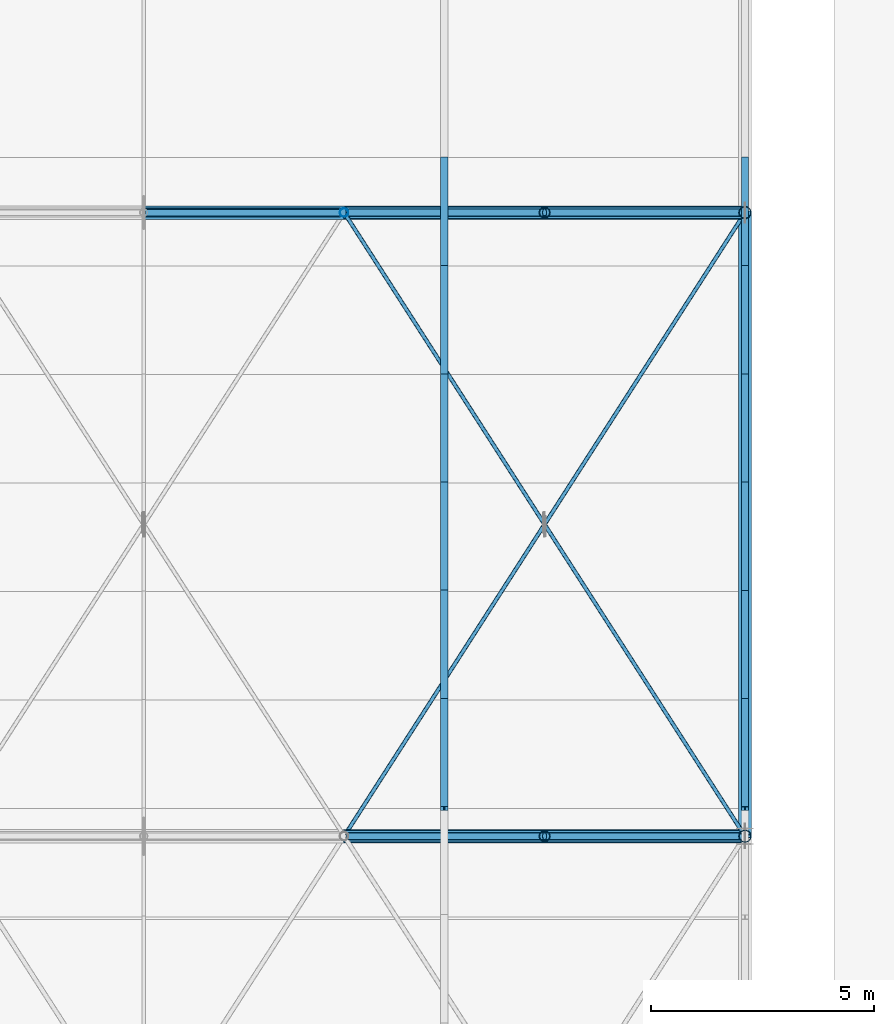
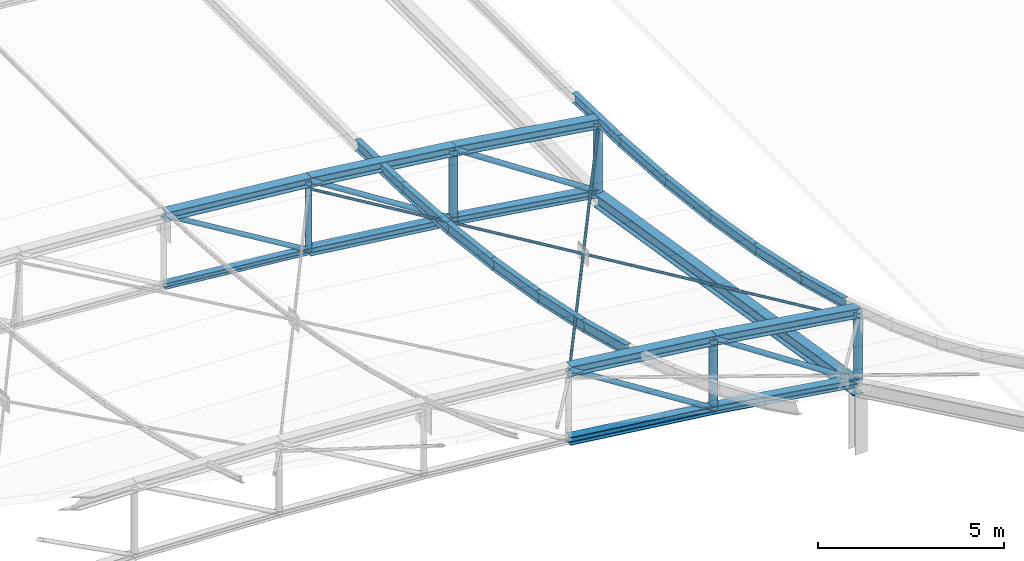
# One storey, part 157 of 262: 35 members, 1 beam.
"""IFC4 building model written with IfcOpenShell, lengths in metres."""

from ifc_helpers import new_model, si_unit, derived_unit, direction, frame, origin, origin_2d, place, context, subcontext, project, spatial, hollow_circle, i_section, extrude, material, material_profile, profile_set, type_object, element, save


model = new_model("IFC4")

# Units and contexts
model_context = context("Model", 3, precision=1e-05, world=origin(), true_north=direction((0.0, 1.0)))
body_context = subcontext(model_context, "Body", "Model", "MODEL_VIEW")
ifc_project = project(units=[si_unit("LENGTHUNIT", "METRE"), si_unit("AREAUNIT", "SQUARE_METRE"), si_unit("VOLUMEUNIT", "CUBIC_METRE"), si_unit("PLANEANGLEUNIT", "RADIAN"), si_unit("MASSUNIT", "GRAM", prefix="KILO"), derived_unit("THERMALTRANSMITTANCEUNIT", [(si_unit("POWERUNIT", "WATT"), 1), (si_unit("LENGTHUNIT", "METRE"), -2), (si_unit("THERMODYNAMICTEMPERATUREUNIT", "KELVIN"), -1)])], contexts=[model_context])

# Site, building, storey
site_placement = place(None, origin())
site = spatial("IfcSite", under=ifc_project, at=site_placement, CompositionType="ELEMENT")
building_placement = place(site_placement, origin())
building = spatial("IfcBuilding", under=site, at=building_placement, Name="Almenara Railside Exhibition Hall", CompositionType="ELEMENT")
storey_placement = place(building_placement, frame((0.0, 0.0, 21.699951171875)))
storey = spatial("IfcBuildingStorey", under=building, at=storey_placement, Name="RF", CompositionType="ELEMENT", Elevation=21.699951171875)

# Members
ifc_material = material(Name="Structural steel S355JR", Category="steel")
ifc_material_profile_1 = material_profile(ifc_material, i_section(OverallWidth=0.300048828125, OverallDepth=0.300048828125, WebThickness=0.010986328125, FlangeThickness=0.01904296875, FilletRadius=0.027099609375, at=origin_2d()), Name="HEB 300")
ifc_profile_set_1 = profile_set([ifc_material_profile_1], Name="Structural steel S355JR")
member_type_1 = type_object("IfcMemberType", Name="Arched Inner Top Chord HEB 300 S355JR", PredefinedType="CHORD", material=ifc_profile_set_1)
member_1_placement = place(storey_placement, frame((178.5, 62.0, -5.63525390625), z_axis=(0.995512933083, 0.0, -0.094625578275), x_axis=(0.0, 1.0, 0.0)))
element("IfcMember", 1, at=member_1_placement, inside=storey, type_object=member_type_1, Name="MEM-TC-V2-02-09", PredefinedType="CHORD", context=body_context, shape_type="SweptSolid", body=[
    extrude(i_section(OverallWidth=0.300048828125, OverallDepth=0.300048828125, WebThickness=0.010986328125, FlangeThickness=0.01904296875, FilletRadius=0.027099609375, at=origin_2d()), origin(), (0.0, 0.0, 1.0), 4.520263671875),
])
ifc_material_profile_2 = material_profile(ifc_material, i_section(OverallWidth=0.260009765625, OverallDepth=0.260009765625, WebThickness=0.010009765625, FlangeThickness=0.017578125, FilletRadius=0.02392578125, at=origin_2d()), Name="HEB 260")
ifc_profile_set_2 = profile_set([ifc_material_profile_2], Name="Structural steel S355JR")
member_type_2 = type_object("IfcMemberType", Name="Arched Truss Bottom Chord HEB 260 S355JR", PredefinedType="CHORD", material=ifc_profile_set_2)
member_2_placement = place(storey_placement, frame((183.0, 48.0, -6.09423828125), z_axis=(0.992612220818, 0.0, -0.121330041965), x_axis=(0.0, 1.0, 0.0)))
element("IfcMember", 2, at=member_2_placement, inside=storey, type_object=member_type_2, Name="MEM-BC-V2-01-10", PredefinedType="CHORD", context=body_context, shape_type="SweptSolid", body=[
    extrude(i_section(OverallWidth=0.260009765625, OverallDepth=0.260009765625, WebThickness=0.010009765625, FlangeThickness=0.017578125, FilletRadius=0.02392578125, at=origin_2d()), origin(), (0.0, 0.0, 1.0), 4.533447265625),
])
member_3_placement = place(storey_placement, frame((187.5, 48.0, -6.644287109375), z_axis=(0.9890290442, 0.0, -0.147721189165), x_axis=(0.0, 1.0, 0.0)))
element("IfcMember", 3, at=member_3_placement, inside=storey, type_object=member_type_2, Name="MEM-BC-V2-01-11", PredefinedType="CHORD", context=body_context, shape_type="SweptSolid", body=[
    extrude(i_section(OverallWidth=0.260009765625, OverallDepth=0.260009765625, WebThickness=0.010009765625, FlangeThickness=0.017578125, FilletRadius=0.02392578125, at=origin_2d()), origin(), (0.0, 0.0, 1.0), 4.5498046875),
])
member_4_placement = place(storey_placement, frame((183.0, 62.0, -8.363037109375), z_axis=(0.992618705116, 0.0, -0.12127698155), x_axis=(0.0, 1.0, 0.0)))
element("IfcMember", 4, at=member_4_placement, inside=storey, type_object=member_type_2, Name="MEM-BC-V2-02-10", PredefinedType="CHORD", context=body_context, shape_type="SweptSolid", body=[
    extrude(i_section(OverallWidth=0.260009765625, OverallDepth=0.260009765625, WebThickness=0.010009765625, FlangeThickness=0.017578125, FilletRadius=0.02392578125, at=origin_2d()), origin(), (0.0, 0.0, 1.0), 4.533447265625),
])
member_5_placement = place(storey_placement, frame((187.5, 62.0, -8.912841796875), z_axis=(0.989021203369, 0.0, -0.147773675894), x_axis=(0.0, 1.0, 0.0)))
element("IfcMember", 5, at=member_5_placement, inside=storey, type_object=member_type_2, Name="MEM-BC-V2-02-11", PredefinedType="CHORD", context=body_context, shape_type="SweptSolid", body=[
    extrude(i_section(OverallWidth=0.260009765625, OverallDepth=0.260009765625, WebThickness=0.010009765625, FlangeThickness=0.017578125, FilletRadius=0.02392578125, at=origin_2d()), origin(), (0.0, 0.0, 1.0), 4.550048828125),
])
ifc_material_profile_3 = material_profile(ifc_material, i_section(OverallWidth=0.300048828125, OverallDepth=0.320068359375, WebThickness=0.011474609375, FlangeThickness=0.0205078125, FilletRadius=0.027099609375, at=origin_2d()), Name="HEB 320")
ifc_profile_set_3 = profile_set([ifc_material_profile_3], Name="Structural steel S355JR")
member_type_3 = type_object("IfcMemberType", Name="Arched Truss Top Chord HEB 320 S355JR", PredefinedType="CHORD", material=ifc_profile_set_3)
member_6_placement = place(storey_placement, frame((183.0, 48.0, -3.794189453125), z_axis=(0.992612220818, 0.0, -0.121330041965), x_axis=(0.0, 1.0, 0.0)))
element("IfcMember", 6, at=member_6_placement, inside=storey, type_object=member_type_3, Name="MEM-TC-V2-01-10", PredefinedType="CHORD", context=body_context, shape_type="SweptSolid", body=[
    extrude(i_section(OverallWidth=0.300048828125, OverallDepth=0.320068359375, WebThickness=0.011474609375, FlangeThickness=0.0205078125, FilletRadius=0.027099609375, at=origin_2d()), origin(), (0.0, 0.0, 1.0), 4.533447265625),
])
member_7_placement = place(storey_placement, frame((187.5, 48.0, -4.34423828125), z_axis=(0.9890290442, 0.0, -0.147721189165), x_axis=(0.0, 1.0, 0.0)))
element("IfcMember", 7, at=member_7_placement, inside=storey, type_object=member_type_3, Name="MEM-TC-V2-01-11", PredefinedType="CHORD", context=body_context, shape_type="SweptSolid", body=[
    extrude(i_section(OverallWidth=0.300048828125, OverallDepth=0.320068359375, WebThickness=0.011474609375, FlangeThickness=0.0205078125, FilletRadius=0.027099609375, at=origin_2d()), origin(), (0.0, 0.0, 1.0), 4.5498046875),
])
member_8_placement = place(storey_placement, frame((183.0, 62.0, -6.06298828125), z_axis=(0.992612220818, 0.0, -0.121330041965), x_axis=(0.0, 1.0, 0.0)))
element("IfcMember", 8, at=member_8_placement, inside=storey, type_object=member_type_3, Name="MEM-TC-V2-02-10", PredefinedType="CHORD", context=body_context, shape_type="SweptSolid", body=[
    extrude(i_section(OverallWidth=0.300048828125, OverallDepth=0.320068359375, WebThickness=0.011474609375, FlangeThickness=0.0205078125, FilletRadius=0.027099609375, at=origin_2d()), origin(), (0.0, 0.0, 1.0), 4.533447265625),
])
member_9_placement = place(storey_placement, frame((187.5, 62.0, -6.613037109375), z_axis=(0.9890290442, 0.0, -0.147721189165), x_axis=(0.0, 1.0, 0.0)))
element("IfcMember", 9, at=member_9_placement, inside=storey, type_object=member_type_3, Name="MEM-TC-V2-02-11", PredefinedType="CHORD", context=body_context, shape_type="SweptSolid", body=[
    extrude(i_section(OverallWidth=0.300048828125, OverallDepth=0.320068359375, WebThickness=0.011474609375, FlangeThickness=0.0205078125, FilletRadius=0.027099609375, at=origin_2d()), origin(), (0.0, 0.0, 1.0), 4.5498046875),
])
ifc_material_profile_4 = material_profile(ifc_material, i_section(OverallWidth=0.199951171875, OverallDepth=0.199951171875, WebThickness=0.009033203125, FlangeThickness=0.014892578125, FilletRadius=0.01806640625, at=origin_2d()), Name="HEB 200")
ifc_profile_set_4 = profile_set([ifc_material_profile_4], Name="Structural steel S355JR")
member_type_4 = type_object("IfcMemberType", Name="Canopy Collar Chord HEB 200 S355JR", PredefinedType="CHORD", material=ifc_profile_set_4)
member_10_placement = place(storey_placement, frame((178.5, 62.0, -7.93505859375), z_axis=(0.995507843872, 0.0, -0.094679104292), x_axis=(0.0, 1.0, 0.0)))
element("IfcMember", 10, at=member_10_placement, inside=storey, type_object=member_type_4, Name="MEM-BC-V2-02-09", PredefinedType="CHORD", context=body_context, shape_type="SweptSolid", body=[
    extrude(i_section(OverallWidth=0.199951171875, OverallDepth=0.199951171875, WebThickness=0.009033203125, FlangeThickness=0.014892578125, FilletRadius=0.01806640625, at=origin_2d()), origin(), (0.0, 0.0, 1.0), 4.520263671875),
])
ifc_material_profile_5 = material_profile(ifc_material, hollow_circle(Radius=0.04443359375, WallThickness=0.00390625, at=origin_2d()), Name="CHS 88.9x4")
ifc_profile_set_5 = profile_set([ifc_material_profile_5], Name="Structural steel S355JR")
member_type_5 = type_object("IfcMemberType", Name="Canopy Tie Brace CHS 88.9x4 S355JR", PredefinedType="BRACE", material=ifc_profile_set_5)
member_11_placement = place(storey_placement, frame((183.0, 48.0, -4.07421875), z_axis=(0.529240705516, 0.823263319692, -0.205284636724), x_axis=(-0.841178475377, 0.540757591313, 0.0)))
element("IfcMember", 11, at=member_11_placement, inside=storey, type_object=member_type_5, Name="MEM-WB-V2-WB-CHS89-01-10-C", PredefinedType="BRACE", context=body_context, shape_type="SweptSolid", body=[
    extrude(hollow_circle(Radius=0.04443359375, WallThickness=0.00390625, at=origin_2d()), origin(), (0.0, 0.0, 1.0), 17.005615234375),
])
for number, where, z_axis, x_axis, name in (
    (12, (192.0, 48.0, -5.29638671875), (-0.539698970492, 0.839515369924, -0.062761173594), (-0.841173681351, -0.540765048614, 0.0), "MEM-WB-V2-WB-CHS89-01-10-S1"),
    (13, (187.473876953125, 55.040771484375, -5.82275390625), (-0.539698970492, 0.839515369924, -0.062761173594), (-0.841173681351, -0.540765048614, 0.0), "MEM-WB-V2-WB-CHS89-01-10-S2"),
):
    element("IfcMember", number, at=place(storey_placement, frame(where, z_axis=z_axis, x_axis=x_axis)), inside=storey, type_object=member_type_5, Name=name, PredefinedType="BRACE", context=body_context, shape_type="SweptSolid", body=[
        extrude(hollow_circle(Radius=0.04443359375, WallThickness=0.00390625, at=origin_2d()), origin(), (0.0, 0.0, 1.0), 8.28955078125),
    ])
ifc_material_profile_6 = material_profile(ifc_material, i_section(OverallWidth=0.159912109375, OverallDepth=0.330078125, WebThickness=0.007568359375, FlangeThickness=0.011474609375, FilletRadius=0.01806640625, at=origin_2d()), Name="IPE 330")
ifc_profile_set_6 = profile_set([ifc_material_profile_6], Name="Structural steel S355JR")
member_type_6 = type_object("IfcMemberType", Name="Gable Bay Purlin IPE 330 S355JR", PredefinedType="PURLIN", material=ifc_profile_set_6)
member_12_placement = place(storey_placement, frame((192.0, 48.6201171875, -5.149658203125), z_axis=(0.0, 0.966201190487, -0.257789176462), x_axis=(-1.0, 0.0, 0.0)))
element("IfcMember", 14, at=member_12_placement, inside=storey, type_object=member_type_6, Name="MEM-PR-V2-PR-IPE330-08-06", PredefinedType="PURLIN", context=body_context, shape_type="SweptSolid", body=[
    extrude(i_section(OverallWidth=0.159912109375, OverallDepth=0.330078125, WebThickness=0.007568359375, FlangeThickness=0.011474609375, FilletRadius=0.01806640625, at=origin_2d()), origin(), (0.0, 0.0, 1.0), 2.52197265625),
])
member_13_placement = place(storey_placement, frame((192.0, 51.056884765625, -5.795654296875), z_axis=(0.0, 0.977516294467, -0.210859891994), x_axis=(-1.0, 0.0, 0.0)))
element("IfcMember", 15, at=member_13_placement, inside=storey, type_object=member_type_6, Name="MEM-PR-V2-PR-IPE330-08-07", PredefinedType="PURLIN", context=body_context, shape_type="SweptSolid", body=[
    extrude(i_section(OverallWidth=0.159912109375, OverallDepth=0.330078125, WebThickness=0.007568359375, FlangeThickness=0.011474609375, FilletRadius=0.01806640625, at=origin_2d()), origin(), (0.0, 0.0, 1.0), 2.492919921875),
])
member_14_placement = place(storey_placement, frame((192.0, 53.49365234375, -6.318115234375), z_axis=(0.0, 0.986465951297, -0.163966237171), x_axis=(-1.0, 0.0, 0.0)))
element("IfcMember", 16, at=member_14_placement, inside=storey, type_object=member_type_6, Name="MEM-PR-V2-PR-IPE330-08-08", PredefinedType="PURLIN", context=body_context, shape_type="SweptSolid", body=[
    extrude(i_section(OverallWidth=0.159912109375, OverallDepth=0.330078125, WebThickness=0.007568359375, FlangeThickness=0.011474609375, FilletRadius=0.01806640625, at=origin_2d()), origin(), (0.0, 0.0, 1.0), 2.47021484375),
])
member_15_placement = place(storey_placement, frame((192.0, 55.930419921875, -6.720703125), z_axis=(0.0, 0.993105700961, -0.117222296166), x_axis=(-1.0, 0.0, 0.0)))
element("IfcMember", 17, at=member_15_placement, inside=storey, type_object=member_type_6, Name="MEM-PR-V2-PR-IPE330-08-09", PredefinedType="PURLIN", context=body_context, shape_type="SweptSolid", body=[
    extrude(i_section(OverallWidth=0.159912109375, OverallDepth=0.330078125, WebThickness=0.007568359375, FlangeThickness=0.011474609375, FilletRadius=0.01806640625, at=origin_2d()), origin(), (0.0, 0.0, 1.0), 2.453369140625),
])
member_16_placement = place(storey_placement, frame((192.0, 58.366943359375, -7.006591796875), z_axis=(0.0, 0.997521719737, -0.070359211571), x_axis=(-1.0, 0.0, 0.0)))
element("IfcMember", 18, at=member_16_placement, inside=storey, type_object=member_type_6, Name="MEM-PR-V2-PR-IPE330-08-10", PredefinedType="PURLIN", context=body_context, shape_type="SweptSolid", body=[
    extrude(i_section(OverallWidth=0.159912109375, OverallDepth=0.330078125, WebThickness=0.007568359375, FlangeThickness=0.011474609375, FilletRadius=0.01806640625, at=origin_2d()), origin(), (0.0, 0.0, 1.0), 2.44287109375),
])
member_17_placement = place(storey_placement, frame((192.0, 60.8037109375, -7.177734375), z_axis=(0.0, 0.999725289903, -0.023438104182), x_axis=(-1.0, 0.0, 0.0)))
element("IfcMember", 19, at=member_17_placement, inside=storey, type_object=member_type_6, Name="MEM-PR-V2-PR-IPE330-08-11", PredefinedType="PURLIN", context=body_context, shape_type="SweptSolid", body=[
    extrude(i_section(OverallWidth=0.159912109375, OverallDepth=0.330078125, WebThickness=0.007568359375, FlangeThickness=0.011474609375, FilletRadius=0.01806640625, at=origin_2d()), origin(), (0.0, 0.0, 1.0), 2.4375),
])
ifc_material_profile_7 = material_profile(ifc_material, i_section(OverallWidth=0.169921875, OverallDepth=0.360107421875, WebThickness=0.008056640625, FlangeThickness=0.0126953125, FilletRadius=0.01806640625, at=origin_2d()), Name="IPE 360")
ifc_profile_set_7 = profile_set([ifc_material_profile_7], Name="Structural steel S355JR")
member_type_7 = type_object("IfcMemberType", Name="Long-Span Scroll Purlin IPE 360 S355JR", PredefinedType="PURLIN", material=ifc_profile_set_7)
member_18_placement = place(storey_placement, frame((185.25, 48.6201171875, -4.337158203125), z_axis=(0.0, 0.966201190487, -0.257789176462), x_axis=(-1.0, 0.0, 0.0)))
element("IfcMember", 20, at=member_18_placement, inside=storey, type_object=member_type_7, Name="MEM-PR-V2-PR-IPE360-07-06", PredefinedType="PURLIN", context=body_context, shape_type="SweptSolid", body=[
    extrude(i_section(OverallWidth=0.169921875, OverallDepth=0.360107421875, WebThickness=0.008056640625, FlangeThickness=0.0126953125, FilletRadius=0.01806640625, at=origin_2d()), origin(), (0.0, 0.0, 1.0), 2.52197265625),
])
member_19_placement = place(storey_placement, frame((185.25, 51.056884765625, -4.98291015625), z_axis=(0.0, 0.977496103583, -0.210953472309), x_axis=(-1.0, 0.0, 0.0)))
element("IfcMember", 21, at=member_19_placement, inside=storey, type_object=member_type_7, Name="MEM-PR-V2-PR-IPE360-07-07", PredefinedType="PURLIN", context=body_context, shape_type="SweptSolid", body=[
    extrude(i_section(OverallWidth=0.169921875, OverallDepth=0.360107421875, WebThickness=0.008056640625, FlangeThickness=0.0126953125, FilletRadius=0.01806640625, at=origin_2d()), origin(), (0.0, 0.0, 1.0), 2.492919921875),
])
member_20_placement = place(storey_placement, frame((185.25, 53.49365234375, -5.505126953125), z_axis=(0.0, 0.986449960692, -0.164062412058), x_axis=(-1.0, 0.0, 0.0)))
element("IfcMember", 22, at=member_20_placement, inside=storey, type_object=member_type_7, Name="MEM-PR-V2-PR-IPE360-07-08", PredefinedType="PURLIN", context=body_context, shape_type="SweptSolid", body=[
    extrude(i_section(OverallWidth=0.169921875, OverallDepth=0.360107421875, WebThickness=0.008056640625, FlangeThickness=0.0126953125, FilletRadius=0.01806640625, at=origin_2d()), origin(), (0.0, 0.0, 1.0), 2.47021484375),
])
member_21_placement = place(storey_placement, frame((185.25, 55.930419921875, -5.907958984375), z_axis=(0.0, 0.993117280569, -0.117124152227), x_axis=(-1.0, 0.0, 0.0)))
element("IfcMember", 23, at=member_21_placement, inside=storey, type_object=member_type_7, Name="MEM-PR-V2-PR-IPE360-07-09", PredefinedType="PURLIN", context=body_context, shape_type="SweptSolid", body=[
    extrude(i_section(OverallWidth=0.169921875, OverallDepth=0.360107421875, WebThickness=0.008056640625, FlangeThickness=0.0126953125, FilletRadius=0.01806640625, at=origin_2d()), origin(), (0.0, 0.0, 1.0), 2.453369140625),
])
member_22_placement = place(storey_placement, frame((185.25, 58.366943359375, -6.19384765625), z_axis=(0.0, 0.997528729247, -0.070259763216), x_axis=(-1.0, 0.0, 0.0)))
element("IfcMember", 24, at=member_22_placement, inside=storey, type_object=member_type_7, Name="MEM-PR-V2-PR-IPE360-07-10", PredefinedType="PURLIN", context=body_context, shape_type="SweptSolid", body=[
    extrude(i_section(OverallWidth=0.169921875, OverallDepth=0.360107421875, WebThickness=0.008056640625, FlangeThickness=0.0126953125, FilletRadius=0.01806640625, at=origin_2d()), origin(), (0.0, 0.0, 1.0), 2.44287109375),
])
member_23_placement = place(storey_placement, frame((185.25, 60.8037109375, -6.36474609375), z_axis=(0.0, 0.999725289903, -0.023438104182), x_axis=(-1.0, 0.0, 0.0)))
element("IfcMember", 25, at=member_23_placement, inside=storey, type_object=member_type_7, Name="MEM-PR-V2-PR-IPE360-07-11", PredefinedType="PURLIN", context=body_context, shape_type="SweptSolid", body=[
    extrude(i_section(OverallWidth=0.169921875, OverallDepth=0.360107421875, WebThickness=0.008056640625, FlangeThickness=0.0126953125, FilletRadius=0.01806640625, at=origin_2d()), origin(), (0.0, 0.0, 1.0), 2.4375),
])

# Beam
ifc_material_profile_8 = material_profile(ifc_material, i_section(OverallWidth=0.300048828125, OverallDepth=0.449951171875, WebThickness=0.013916015625, FlangeThickness=0.02587890625, FilletRadius=0.027099609375, at=origin_2d()), Name="HEB 450")
ifc_profile_set_8 = profile_set([ifc_material_profile_8], Name="Structural steel S355JR")
beam_type = type_object("IfcBeamType", Name="Steel Roof Eaves Tie Girder HEB 450 S355JR", PredefinedType="USERDEFINED", material=ifc_profile_set_8)
beam_placement = place(storey_placement, frame((192.0, 48.0, -7.54150390625), z_axis=(0.0, 0.98712458386, -0.15995329299), x_axis=(-1.0, 0.0, 0.0)))
element("IfcBeam", 26, at=beam_placement, inside=storey, type_object=beam_type, Name="Beam 0978", ObjectType="GIRDER", PredefinedType="USERDEFINED", context=body_context, shape_type="SweptSolid", body=[
    extrude(i_section(OverallWidth=0.300048828125, OverallDepth=0.449951171875, WebThickness=0.013916015625, FlangeThickness=0.02587890625, FilletRadius=0.027099609375, at=origin_2d()), origin(), (0.0, 0.0, 1.0), 14.1826171875),
])

# Members
ifc_material_profile_9 = material_profile(ifc_material, hollow_circle(Radius=0.084228515625, WallThickness=0.006103515625, at=origin_2d()), Name="CHS 168.3x6")
ifc_profile_set_9 = profile_set([ifc_material_profile_9], Name="Structural steel S355JR")
member_type_8 = type_object("IfcMemberType", Name="Truss End Diagonal CHS 168.3x6 S355JR", PredefinedType="BRACE", material=ifc_profile_set_9)
member_24_placement = place(storey_placement, frame((183.0, 48.0, -3.794189453125), z_axis=(0.844810788273, 0.0, -0.535065166141), x_axis=(0.0, 1.0, 0.0)))
element("IfcMember", 27, at=member_24_placement, inside=storey, type_object=member_type_8, Name="MEM-TD-V2-01-10", PredefinedType="BRACE", context=body_context, shape_type="SweptSolid", body=[
    extrude(hollow_circle(Radius=0.084228515625, WallThickness=0.006103515625, at=origin_2d()), origin(), (0.0, 0.0, 1.0), 5.32666015625),
])
member_25_placement = place(storey_placement, frame((187.5, 48.0, -4.34423828125), z_axis=(0.834424544227, 0.0, -0.551122200598), x_axis=(0.0, 1.0, 0.0)))
element("IfcMember", 28, at=member_25_placement, inside=storey, type_object=member_type_8, Name="MEM-TD-V2-01-11", PredefinedType="BRACE", context=body_context, shape_type="SweptSolid", body=[
    extrude(hollow_circle(Radius=0.084228515625, WallThickness=0.006103515625, at=origin_2d()), origin(), (0.0, 0.0, 1.0), 5.392822265625),
])
member_26_placement = place(storey_placement, frame((183.0, 62.0, -6.06298828125), z_axis=(0.8448315064, 0.0, -0.535032453028), x_axis=(0.0, 1.0, 0.0)))
element("IfcMember", 29, at=member_26_placement, inside=storey, type_object=member_type_8, Name="MEM-TD-V2-02-10", PredefinedType="BRACE", context=body_context, shape_type="SweptSolid", body=[
    extrude(hollow_circle(Radius=0.084228515625, WallThickness=0.006103515625, at=origin_2d()), origin(), (0.0, 0.0, 1.0), 5.326416015625),
])
member_27_placement = place(storey_placement, frame((187.5, 62.0, -6.613037109375), z_axis=(0.834424544227, 0.0, -0.551122200598), x_axis=(0.0, 1.0, 0.0)))
element("IfcMember", 30, at=member_27_placement, inside=storey, type_object=member_type_8, Name="MEM-TD-V2-02-11", PredefinedType="BRACE", context=body_context, shape_type="SweptSolid", body=[
    extrude(hollow_circle(Radius=0.084228515625, WallThickness=0.006103515625, at=origin_2d()), origin(), (0.0, 0.0, 1.0), 5.392822265625),
])
ifc_material_profile_10 = material_profile(ifc_material, hollow_circle(Radius=0.122314453125, WallThickness=0.008056640625, at=origin_2d()), Name="CHS 244.5x8")
ifc_profile_set_10 = profile_set([ifc_material_profile_10], Name="Structural steel S355JR")
member_type_9 = type_object("IfcMemberType", Name="Truss Haunch Vertical Strut CHS 244.5x8 S355JR", PredefinedType="BRACE", material=ifc_profile_set_10)
member_28_placement = place(storey_placement, frame((187.5, 48.0, -6.644287109375), z_axis=(0.0, 0.0, 1.0), x_axis=(1.0, 0.0, 0.0)))
element("IfcMember", 31, at=member_28_placement, inside=storey, type_object=member_type_9, Name="MEM-TV-V2-01-11", PredefinedType="BRACE", context=body_context, shape_type="SweptSolid", body=[
    extrude(hollow_circle(Radius=0.122314453125, WallThickness=0.008056640625, at=origin_2d()), origin(), (0.0, 0.0, 1.0), 2.300048828125),
])
member_29_placement = place(storey_placement, frame((187.5, 62.0, -8.912841796875), z_axis=(0.0, 0.0, 1.0), x_axis=(1.0, 0.0, 0.0)))
element("IfcMember", 32, at=member_29_placement, inside=storey, type_object=member_type_9, Name="MEM-TV-V2-02-11", PredefinedType="BRACE", context=body_context, shape_type="SweptSolid", body=[
    extrude(hollow_circle(Radius=0.122314453125, WallThickness=0.008056640625, at=origin_2d()), origin(), (0.0, 0.0, 1.0), 2.2998046875),
])
ifc_material_profile_11 = material_profile(ifc_material, hollow_circle(Radius=0.076171875, WallThickness=0.0048828125, at=origin_2d()), Name="CHS 152.4x5")
ifc_profile_set_11 = profile_set([ifc_material_profile_11], Name="Structural steel S355JR")
member_type_10 = type_object("IfcMemberType", Name="Truss Mid Diagonal CHS 152.4x5 S355JR", PredefinedType="BRACE", material=ifc_profile_set_11)
member_30_placement = place(storey_placement, frame((178.5, 62.0, -5.63525390625), z_axis=(0.855154829777, 0.0, -0.518372662386), x_axis=(0.0, 1.0, 0.0)))
element("IfcMember", 33, at=member_30_placement, inside=storey, type_object=member_type_10, Name="MEM-TD-V2-02-09", PredefinedType="BRACE", context=body_context, shape_type="SweptSolid", body=[
    extrude(hollow_circle(Radius=0.076171875, WallThickness=0.0048828125, at=origin_2d()), origin(), (0.0, 0.0, 1.0), 5.26220703125),
])
ifc_material_profile_12 = material_profile(ifc_material, hollow_circle(Radius=0.096923828125, WallThickness=0.00634765625, at=origin_2d()), Name="CHS 193.7x6.3")
ifc_profile_set_12 = profile_set([ifc_material_profile_12], Name="Structural steel S355JR")
member_type_11 = type_object("IfcMemberType", Name="Truss Standard Vertical Strut CHS 193.7x6.3 S355JR", PredefinedType="BRACE", material=ifc_profile_set_12)
member_31_placement = place(storey_placement, frame((183.0, 62.0, -8.363037109375), z_axis=(0.0, 0.0, 1.0), x_axis=(1.0, 0.0, 0.0)))
element("IfcMember", 34, at=member_31_placement, inside=storey, type_object=member_type_11, Name="MEM-TV-V2-02-10", PredefinedType="BRACE", context=body_context, shape_type="SweptSolid", body=[
    extrude(hollow_circle(Radius=0.096923828125, WallThickness=0.00634765625, at=origin_2d()), origin(), (0.0, 0.0, 1.0), 2.300048828125),
])
ifc_material_profile_13 = material_profile(ifc_material, hollow_circle(Radius=0.136474609375, WallThickness=0.008056640625, at=origin_2d()), Name="CHS 273x8")
ifc_profile_set_13 = profile_set([ifc_material_profile_13], Name="Structural steel S355JR")
member_type_12 = type_object("IfcMemberType", Name="Truss Support Vertical Strut CHS 273x8 S355JR", PredefinedType="BRACE", material=ifc_profile_set_13)
for number, where, z_axis, x_axis, name in (
    (35, (192.0, 48.0, -7.31640625), (0.0, 0.0, 1.0), (1.0, 0.0, 0.0), "MEM-TV-V2-01-12"),
    (36, (192.0, 62.0, -9.585205078125), (0.0, 0.0, 1.0), (1.0, 0.0, 0.0), "MEM-TV-V2-02-12"),
):
    element("IfcMember", number, at=place(storey_placement, frame(where, z_axis=z_axis, x_axis=x_axis)), inside=storey, type_object=member_type_12, Name=name, PredefinedType="BRACE", context=body_context, shape_type="SweptSolid", body=[
        extrude(hollow_circle(Radius=0.136474609375, WallThickness=0.008056640625, at=origin_2d()), origin(), (0.0, 0.0, 1.0), 2.300048828125),
    ])

save(model, "model.ifc")
